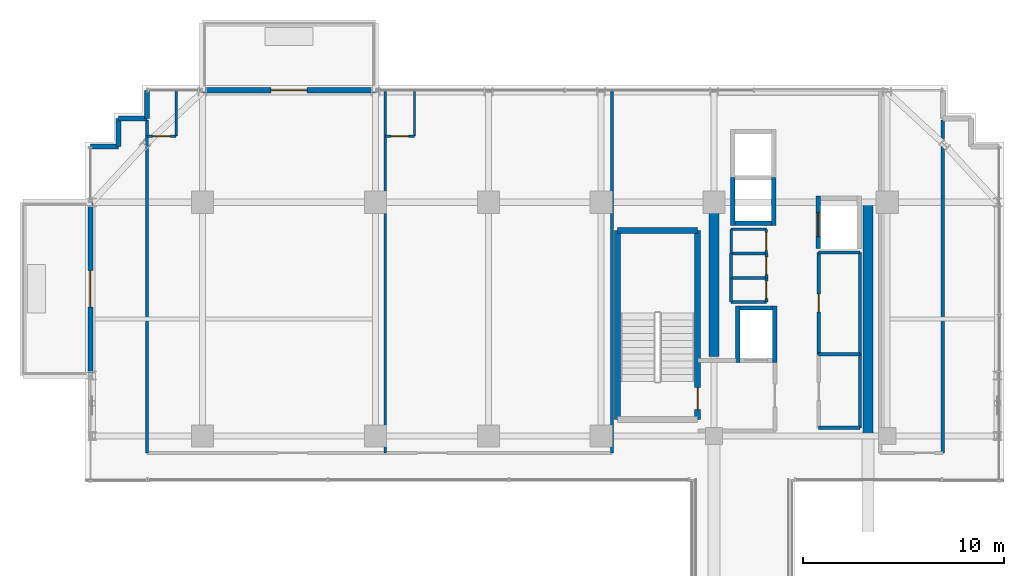
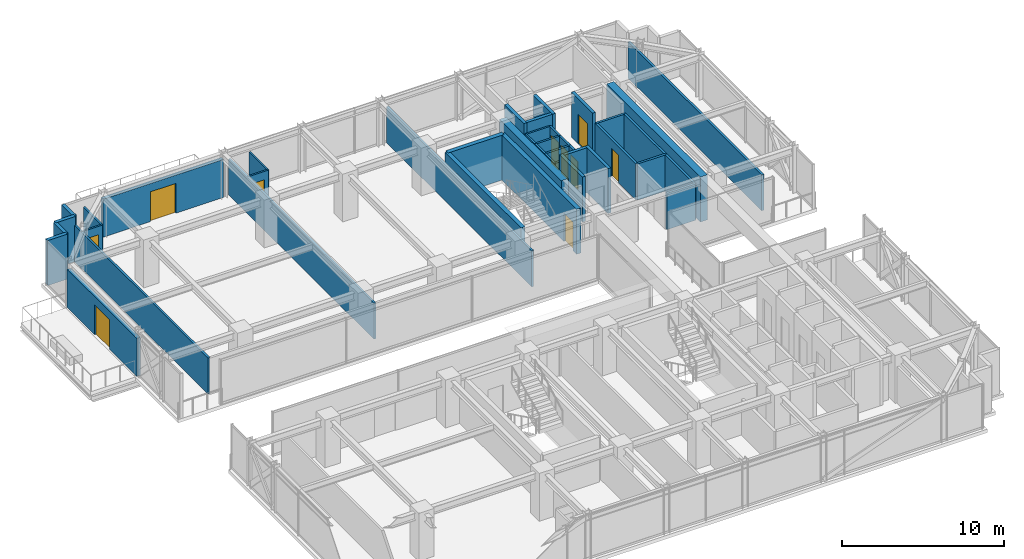
# One storey, part 32 of 37: 42 walls, 10 doors, 10 openings.
"""IFC4 building model written with IfcOpenShell, lengths in metres."""

from ifc_helpers import new_model, si_unit, direction, frame, frame_2d, origin, place, context, subcontext, project, spatial, rectangle, extrude, source, transform, mapped, material, layer, layer_set, type_object, element, fill, save


model = new_model("IFC4")

# Units and contexts
model_context = context("Model", 3, precision=1e-05, world=origin(), true_north=direction((0.0, 1.0)))
body_context = subcontext(model_context, "Body", "Model", "MODEL_VIEW")
ifc_project = project(units=[si_unit("LENGTHUNIT", "METRE"), si_unit("AREAUNIT", "SQUARE_METRE"), si_unit("VOLUMEUNIT", "CUBIC_METRE"), si_unit("PLANEANGLEUNIT", "RADIAN"), si_unit("MASSUNIT", "GRAM", prefix="KILO")], contexts=[model_context])

# Site, building, storey
site_placement = place(None, origin())
site = spatial("IfcSite", under=ifc_project, at=site_placement, CompositionType="ELEMENT")
building_placement = place(site_placement, origin())
building = spatial("IfcBuilding", under=site, at=building_placement, Name="Nahalor Promenade Grand Hotel", CompositionType="ELEMENT")
storey_placement = place(building_placement, frame((0.0, 0.0, 167.25)))
storey = spatial("IfcBuildingStorey", under=building, at=storey_placement, Name="L42", CompositionType="ELEMENT", Elevation=167.25)

# Walls
ifc_material_1 = material(Name="Concrete B-60 (C50/60)", Category="concrete")
ifc_layer_1 = layer(ifc_material_1, 0.5)
ifc_layer_set_1 = layer_set([ifc_layer_1], Name="Concrete B-60 (C50/60)")
wall_type_1 = type_object("IfcWallType", Name="Wall-CoreShear-500", PredefinedType="SHEAR", material=ifc_layer_set_1)
shared_shape_1 = source(origin(), body_context, "Body", "SweptSolid", [
    extrude(rectangle(XDim=7.64990234375, YDim=0.5, at=frame_2d((3.824951171875, 0.0))), origin(), (0.0, 0.0, 1.0), 3.389892578125),
])
wall_1_placement = place(storey_placement, frame((8.39990234375, 9.35009765625, 0.0), z_axis=(0.0, 0.0, 1.0), x_axis=(0.0, 1.0, 0.0)))
element("IfcWall", 1, at=wall_1_placement, inside=storey, type_object=wall_type_1, Name="CWALL-L42-NW", PredefinedType="SHEAR", context=body_context, shape_type="MappedRepresentation", body=[
    mapped(shared_shape_1, transform((0.0, 0.0, 0.0), scale=1.0)),
])
shared_shape_2 = source(origin(), body_context, "Body", "SweptSolid", [
    extrude(rectangle(XDim=11.60009765625, YDim=0.5, at=frame_2d((5.800048828125, 0.0))), origin(), (0.0, 0.0, 1.0), 3.389892578125),
])
wall_2_placement = place(storey_placement, frame((16.050048828125, 5.39990234375, 0.0), z_axis=(0.0, 0.0, 1.0), x_axis=(0.0, 1.0, 0.0)))
element("IfcWall", 2, at=wall_2_placement, inside=storey, type_object=wall_type_1, Name="CWALL-L42-NE", PredefinedType="SHEAR", context=body_context, shape_type="MappedRepresentation", body=[
    mapped(shared_shape_2, transform((0.0, 0.0, 0.0), scale=1.0)),
])
ifc_material_2 = material(Name="Concrete B-50 (C40/50)", Category="concrete")
ifc_layer_2 = layer(ifc_material_2, 0.300048828125)
ifc_layer_set_2 = layer_set([ifc_layer_2], Name="Concrete B-50 (C40/50)")
wall_type_2 = type_object("IfcWallType", Name="Wall-ShaftShear-300", PredefinedType="SHEAR", material=ifc_layer_set_2)
shared_shape_3 = source(origin(), body_context, "Body", "SweptSolid", [
    extrude(rectangle(XDim=3.97998046875, YDim=0.300048828125, at=frame_2d((1.989990234375, 0.0))), origin(), (0.0, 0.0, 1.0), 3.389892578125),
])
wall_3_placement = place(storey_placement, frame((3.610107421875, 15.590087890625, 0.0), z_axis=(0.0, 0.0, 1.0), x_axis=(1.0, 0.0, 0.0)))
element("IfcWall", 3, at=wall_3_placement, inside=storey, type_object=wall_type_2, Name="L42 Exit Stair ST1 Shaft Wall N", PredefinedType="SHEAR", context=body_context, shape_type="MappedRepresentation", body=[
    mapped(shared_shape_3, transform((0.0, 0.0, 0.0), scale=1.0)),
])
shared_shape_4 = source(origin(), body_context, "Body", "SweptSolid", [
    extrude(rectangle(XDim=9.380126953125, YDim=0.300048828125, at=frame_2d((4.68994140625, 0.0))), origin(), (0.0, 0.0, 1.0), 3.389892578125),
])
wall_4_placement = place(storey_placement, frame((3.610107421875, 6.2099609375, 0.0), z_axis=(0.0, 0.0, 1.0), x_axis=(0.0, 1.0, 0.0)))
element("IfcWall", 4, at=wall_4_placement, inside=storey, type_object=wall_type_2, Name="L42 Exit Stair ST1 Shaft Wall W", PredefinedType="SHEAR", context=body_context, shape_type="MappedRepresentation", body=[
    mapped(shared_shape_4, transform((0.0, 0.0, 0.0), scale=1.0)),
])

# Wall, opening, door
wall_5_placement = place(storey_placement, frame((7.590087890625, 6.2099609375, 0.0), z_axis=(0.0, 0.0, 1.0), x_axis=(0.0, 1.0, 0.0)))
wall_5 = element("IfcWall", 5, at=wall_5_placement, inside=storey, type_object=wall_type_2, Name="L42 Exit Stair ST1 Shaft Wall E", PredefinedType="SHEAR", context=body_context, shape_type="MappedRepresentation", body=[
    mapped(shared_shape_4, transform((0.0, 0.0, 0.0), scale=1.0)),
])
opening_1_placement = place(wall_5_placement, frame((0.489990234375, 0.0, 0.0)))
opening_1 = element("IfcOpeningElement", 6, at=opening_1_placement, cuts=wall_5, Name="Opening D-ST1", PredefinedType="OPENING", context=body_context, shape_type="SweptSolid", body=[
    extrude(rectangle(XDim=1.10009765625, YDim=2.14990234375, at=frame_2d((0.550048828125, 1.074951171875))), frame((0.0, 0.159912109375, 0.0), z_axis=(0.0, -1.0, 0.0), x_axis=(1.0, 0.0, 0.0)), (0.0, 0.0, 1.0), 0.320068359375),
])
ifc_material_3 = material(Name="Steel S355JR", Category="steel")
door_type_1 = type_object("IfcDoorType", Name="Door-StairFire-1100", OperationType="NOTDEFINED", PredefinedType="DOOR", material=ifc_material_3)
shared_shape_5 = source(origin(), body_context, "Body", "SweptSolid", [
    extrude(rectangle(XDim=1.10009765625, YDim=2.14990234375, at=frame_2d((0.550048828125, 1.074951171875))), frame((0.0, 0.02490234375, 0.0), z_axis=(0.0, -1.0, 0.0), x_axis=(1.0, 0.0, 0.0)), (0.0, 0.0, 1.0), 0.050048828125),
])
door_1_placement = place(opening_1_placement, origin())
door_1 = element("IfcDoor", 7, at=door_1_placement, inside=storey, type_object=door_type_1, Name="DR-STAIR-ST1-L42", OperationType="SINGLE_SWING_LEFT", OverallHeight=2.14990234375, OverallWidth=1.10009765625, PredefinedType="DOOR", context=body_context, shape_type="MappedRepresentation", body=[
    mapped(shared_shape_5, transform((0.0, 0.0, 0.0), scale=1.0)),
])
fill(opening_1, door_1)

# Walls
ifc_layer_3 = layer(ifc_material_2, 0.219970703125)
ifc_layer_set_3 = layer_set([ifc_layer_3], Name="Concrete B-50 (C40/50)")
wall_type_3 = type_object("IfcWallType", Name="Wall-LiftShaft-220", PredefinedType="SHEAR", material=ifc_layer_set_3)
shared_shape_6 = source(origin(), body_context, "Body", "SweptSolid", [
    extrude(rectangle(XDim=1.820068359375, YDim=0.219970703125, at=frame_2d((0.91015625, 0.0))), origin(), (0.0, 0.0, 1.0), 3.389892578125),
])
wall_6_placement = place(storey_placement, frame((9.43994140625, 15.949951171875, 0.0), z_axis=(0.0, 0.0, 1.0), x_axis=(1.0, 0.0, 0.0)))
element("IfcWall", 8, at=wall_6_placement, inside=storey, type_object=wall_type_3, Name="L42 Lift OB1 Hoistway Wall S", PredefinedType="SHEAR", context=body_context, shape_type="MappedRepresentation", body=[
    mapped(shared_shape_6, transform((0.0, 0.0, 0.0), scale=1.0)),
])
shared_shape_7 = source(origin(), body_context, "Body", "SweptSolid", [
    extrude(rectangle(XDim=2.385009765625, YDim=0.219970703125, at=frame_2d((1.1923828125, 0.0))), origin(), (0.0, 0.0, 1.0), 3.389892578125),
])
for number, where, z_axis, x_axis, name in (
    (9, (9.330078125, 15.840087890625, 0.0), (0.0, 0.0, 1.0), (0.0, 1.0, 0.0), "L42 Lift OB1 Hoistway Wall W"),
    (10, (11.3701171875, 15.840087890625, 0.0), (0.0, 0.0, 1.0), (0.0, 1.0, 0.0), "L42 Lift OB1 Hoistway Wall E"),
):
    element("IfcWall", number, at=place(storey_placement, frame(where, z_axis=z_axis, x_axis=x_axis)), inside=storey, type_object=wall_type_3, Name=name, PredefinedType="SHEAR", context=body_context, shape_type="MappedRepresentation", body=[
        mapped(shared_shape_7, transform((0.0, 0.0, 0.0), scale=1.0)),
    ])
shared_shape_8 = source(origin(), body_context, "Body", "SweptSolid", [
    extrude(rectangle(XDim=2.820068359375, YDim=0.219970703125, at=frame_2d((1.41015625, 0.0))), origin(), (0.0, 0.0, 1.0), 3.389892578125),
])
for number, where, z_axis, x_axis, name in (
    (11, (9.580078125, 9.0400390625, 0.0), (0.0, 0.0, 1.0), (0.0, 1.0, 0.0), "L42 Lift FL1 Hoistway Wall W"),
    (12, (11.419921875, 9.0400390625, 0.0), (0.0, 0.0, 1.0), (0.0, 1.0, 0.0), "L42 Lift FL1 Hoistway Wall E"),
):
    element("IfcWall", number, at=place(storey_placement, frame(where, z_axis=z_axis, x_axis=x_axis)), inside=storey, type_object=wall_type_3, Name=name, PredefinedType="SHEAR", context=body_context, shape_type="MappedRepresentation", body=[
        mapped(shared_shape_8, transform((0.0, 0.0, 0.0), scale=1.0)),
    ])
shared_shape_9 = source(origin(), body_context, "Body", "SweptSolid", [
    extrude(rectangle(XDim=1.6201171875, YDim=0.219970703125, at=frame_2d((0.81005859375, 0.0))), origin(), (0.0, 0.0, 1.0), 3.389892578125),
])
wall_7_placement = place(storey_placement, frame((9.68994140625, 11.75, 0.0), z_axis=(0.0, 0.0, 1.0), x_axis=(1.0, 0.0, 0.0)))
element("IfcWall", 13, at=wall_7_placement, inside=storey, type_object=wall_type_3, Name="L42 Lift FL1 Hoistway Wall N", PredefinedType="SHEAR", context=body_context, shape_type="MappedRepresentation", body=[
    mapped(shared_shape_9, transform((0.0, 0.0, 0.0), scale=1.0)),
])

# Wall, opening, door
shared_shape_10 = source(origin(), body_context, "Body", "SweptSolid", [
    extrude(rectangle(XDim=2.610107421875, YDim=0.219970703125, at=frame_2d((1.30517578125, 0.0))), origin(), (0.0, 0.0, 1.0), 3.389892578125),
])
wall_8_placement = place(storey_placement, frame((13.580078125, 14.699951171875, 0.0), z_axis=(0.0, 0.0, 1.0), x_axis=(0.0, 1.0, 0.0)))
wall_8 = element("IfcWall", 14, at=wall_8_placement, inside=storey, type_object=wall_type_3, Name="L42 Lift SV1 Hoistway Wall W", PredefinedType="SHEAR", context=body_context, shape_type="MappedRepresentation", body=[
    mapped(shared_shape_10, transform((0.0, 0.0, 0.0), scale=1.0)),
])
opening_2_placement = place(wall_8_placement, frame((0.60009765625, 0.0, 0.0)))
opening_2 = element("IfcOpeningElement", 15, at=opening_2_placement, cuts=wall_8, Name="Opening LD-03", PredefinedType="OPENING", context=body_context, shape_type="SweptSolid", body=[
    extrude(rectangle(XDim=1.199951171875, YDim=2.199951171875, at=frame_2d((0.60009765625, 1.10009765625))), frame((0.0, 0.119873046875, 0.0), z_axis=(0.0, -1.0, 0.0), x_axis=(1.0, 0.0, 0.0)), (0.0, 0.0, 1.0), 0.239990234375),
])
door_type_2 = type_object("IfcDoorType", Name="Door-LiftService-1200", OperationType="DOUBLE_DOOR_SLIDING", PredefinedType="DOOR", material=ifc_material_3)
shared_shape_11 = source(origin(), body_context, "Body", "SweptSolid", [
    extrude(rectangle(XDim=1.199951171875, YDim=2.199951171875, at=frame_2d((0.60009765625, 1.10009765625))), frame((0.0, 0.02490234375, 0.0), z_axis=(0.0, -1.0, 0.0), x_axis=(1.0, 0.0, 0.0)), (0.0, 0.0, 1.0), 0.050048828125),
])
door_2_placement = place(opening_2_placement, origin())
door_2 = element("IfcDoor", 16, at=door_2_placement, inside=storey, type_object=door_type_2, Name="DR-LIFT-SV1-L42", OperationType="DOUBLE_DOOR_SLIDING", OverallHeight=2.199951171875, OverallWidth=1.199951171875, PredefinedType="DOOR", context=body_context, shape_type="MappedRepresentation", body=[
    mapped(shared_shape_11, transform((0.0, 0.0, 0.0), scale=1.0)),
])
fill(opening_2, door_2)

# Walls
ifc_material_4 = material(Name="Concrete B-40 (C32/40)", Category="concrete")
ifc_layer_4 = layer(ifc_material_4, 0.25)
ifc_layer_set_4 = layer_set([ifc_layer_4], Name="Concrete B-40 (C32/40)")
wall_type_4 = type_object("IfcWallType", Name="Wall-BronzePier-250", PredefinedType="STANDARD", material=ifc_layer_set_4)
shared_shape_12 = source(origin(), body_context, "Body", "SweptSolid", [
    extrude(rectangle(XDim=1.400146484375, YDim=0.25, at=frame_2d((0.7001953125, 0.0))), origin(), (0.0, 0.0, 1.0), 3.389892578125),
])
for number, where, z_axis, x_axis, name in (
    (17, (-19.760009765625, 21.159912109375, 0.0), (0.0, 0.0, 1.0), (0.0, 1.0, 0.0), "W-L42-SR-09"),
    (18, (-22.56005859375, 19.760009765625, 0.0), (0.0, 0.0, 1.0), (1.0, 0.0, 0.0), "W-L42-SR-12"),
):
    element("IfcWall", number, at=place(storey_placement, frame(where, z_axis=z_axis, x_axis=x_axis)), inside=storey, type_object=wall_type_4, Name=name, PredefinedType="STANDARD", context=body_context, shape_type="MappedRepresentation", body=[
        mapped(shared_shape_12, transform((0.0, 0.0, 0.0), scale=1.0)),
    ])
shared_shape_13 = source(origin(), body_context, "Body", "SweptSolid", [
    extrude(rectangle(XDim=1.39990234375, YDim=0.25, at=frame_2d((0.699951171875, 0.0))), origin(), (0.0, 0.0, 1.0), 3.389892578125),
])
for number, where, z_axis, x_axis, name in (
    (19, (-21.159912109375, 21.159912109375, 0.0), (0.0, 0.0, 1.0), (1.0, 0.0, 0.0), "W-L42-SR-10"),
    (20, (-21.159912109375, 19.760009765625, 0.0), (0.0, 0.0, 1.0), (0.0, 1.0, 0.0), "W-L42-SR-11"),
):
    element("IfcWall", number, at=place(storey_placement, frame(where, z_axis=z_axis, x_axis=x_axis)), inside=storey, type_object=wall_type_4, Name=name, PredefinedType="STANDARD", context=body_context, shape_type="MappedRepresentation", body=[
        mapped(shared_shape_13, transform((0.0, 0.0, 0.0), scale=1.0)),
    ])

# Wall, opening, door
ifc_layer_5 = layer(ifc_material_4, 0.260009765625)
ifc_layer_set_5 = layer_set([ifc_layer_5], Name="Concrete B-40 (C32/40)")
wall_type_5 = type_object("IfcWallType", Name="Wall-BalconyWall-260", PredefinedType="STANDARD", material=ifc_layer_set_5)
shared_shape_14 = source(origin(), body_context, "Body", "SweptSolid", [
    extrude(rectangle(XDim=8.60009765625, YDim=0.260009765625, at=frame_2d((4.300048828125, 0.0))), origin(), (0.0, 0.0, 1.0), 2.8701171875),
])
wall_9_placement = place(storey_placement, frame((-17.0, 22.56005859375, 0.0), z_axis=(0.0, 0.0, 1.0), x_axis=(1.0, 0.0, 0.0)))
wall_9 = element("IfcWall", 21, at=wall_9_placement, inside=storey, type_object=wall_type_5, Name="W-L42-BALC-N-2", PredefinedType="STANDARD", context=body_context, shape_type="MappedRepresentation", body=[
    mapped(shared_shape_14, transform((0.0, 0.0, 0.0), scale=1.0)),
])
opening_3_placement = place(wall_9_placement, frame((3.39990234375, 0.0, 0.0)))
opening_3 = element("IfcOpeningElement", 22, at=opening_3_placement, cuts=wall_9, Name="Opening D-BC1", PredefinedType="OPENING", context=body_context, shape_type="SweptSolid", body=[
    extrude(rectangle(XDim=1.800048828125, YDim=2.25, at=frame_2d((0.89990234375, 1.125))), frame((0.0, 0.139892578125, 0.0), z_axis=(0.0, -1.0, 0.0), x_axis=(1.0, 0.0, 0.0)), (0.0, 0.0, 1.0), 0.280029296875),
])
ifc_material_5 = material(Name="Anodised Bronze Aluminium EN AW-6063 T6", Category="aluminium")
door_type_3 = type_object("IfcDoorType", Name="Door-BalconySlide-1800", OperationType="DOUBLE_DOOR_SLIDING", PredefinedType="DOOR", material=ifc_material_5)
shared_shape_15 = source(origin(), body_context, "Body", "SweptSolid", [
    extrude(rectangle(XDim=1.800048828125, YDim=2.25, at=frame_2d((0.89990234375, 1.125))), frame((0.0, 0.02490234375, 0.0), z_axis=(0.0, -1.0, 0.0), x_axis=(1.0, 0.0, 0.0)), (0.0, 0.0, 1.0), 0.050048828125),
])
door_3_placement = place(opening_3_placement, origin())
door_3 = element("IfcDoor", 23, at=door_3_placement, inside=storey, type_object=door_type_3, Name="DR-L42-BALC-N-2", OperationType="DOUBLE_DOOR_SLIDING", OverallHeight=2.25, OverallWidth=1.800048828125, PredefinedType="DOOR", context=body_context, shape_type="MappedRepresentation", body=[
    mapped(shared_shape_15, transform((0.0, 0.0, 0.0), scale=1.0)),
])
fill(opening_3, door_3)

wall_10_placement = place(storey_placement, frame((-22.56005859375, 8.39990234375, 0.0), z_axis=(0.0, 0.0, 1.0), x_axis=(0.0, 1.0, 0.0)))
wall_10 = element("IfcWall", 24, at=wall_10_placement, inside=storey, type_object=wall_type_5, Name="W-L42-BALC-W-3", PredefinedType="STANDARD", context=body_context, shape_type="MappedRepresentation", body=[
    mapped(shared_shape_14, transform((0.0, 0.0, 0.0), scale=1.0)),
])
opening_4_placement = place(wall_10_placement, frame((3.39990234375, 0.0, 0.0)))
opening_4 = element("IfcOpeningElement", 25, at=opening_4_placement, cuts=wall_10, Name="Opening D-BC1", PredefinedType="OPENING", context=body_context, shape_type="SweptSolid", body=[
    extrude(rectangle(XDim=1.800048828125, YDim=2.25, at=frame_2d((0.89990234375, 1.125))), frame((0.0, 0.139892578125, 0.0), z_axis=(0.0, -1.0, 0.0), x_axis=(1.0, 0.0, 0.0)), (0.0, 0.0, 1.0), 0.280029296875),
])
door_4_placement = place(opening_4_placement, origin())
door_4 = element("IfcDoor", 26, at=door_4_placement, inside=storey, type_object=door_type_3, Name="DR-L42-BALC-W-3", OperationType="DOUBLE_DOOR_SLIDING", OverallHeight=2.25, OverallWidth=1.800048828125, PredefinedType="DOOR", context=body_context, shape_type="MappedRepresentation", body=[
    mapped(shared_shape_15, transform((0.0, 0.0, 0.0), scale=1.0)),
])
fill(opening_4, door_4)

# Walls
ifc_material_6 = material(Name="Acoustic Mineral Gypsum", Category="gypsum")
ifc_layer_6 = layer(ifc_material_6, 0.14990234375)
ifc_layer_set_6 = layer_set([ifc_layer_6], Name="Acoustic Mineral Gypsum")
wall_type_6 = type_object("IfcWallType", Name="Wall-PartService-150", PredefinedType="PARTITIONING", material=ifc_layer_set_6)
shared_shape_16 = source(origin(), body_context, "Body", "SweptSolid", [
    extrude(rectangle(XDim=1.75, YDim=0.14990234375, at=frame_2d((0.875, 0.0))), origin(), (0.0, 0.0, 1.0), 2.72998046875),
])
for number, where, z_axis, x_axis, name in (
    (27, (9.25, 12.050048828125, 0.0), (0.0, 0.0, 1.0), (1.0, 0.0, 0.0), "W-L42-CK3A-S"),
    (28, (9.25, 13.25, 0.0), (0.0, 0.0, 1.0), (1.0, 0.0, 0.0), "W-L42-CK3A-N"),
    (29, (9.25, 14.449951171875, 0.0), (0.0, 0.0, 1.0), (1.0, 0.0, 0.0), "W-L42-CK3B-N"),
):
    element("IfcWall", number, at=place(storey_placement, frame(where, z_axis=z_axis, x_axis=x_axis)), inside=storey, type_object=wall_type_6, Name=name, PredefinedType="PARTITIONING", context=body_context, shape_type="MappedRepresentation", body=[
        mapped(shared_shape_16, transform((0.0, 0.0, 0.0), scale=1.0)),
    ])
ifc_layer_7 = layer(ifc_material_6, 0.159912109375)
ifc_layer_set_7 = layer_set([ifc_layer_7], Name="Acoustic Mineral Gypsum")
wall_type_7 = type_object("IfcWallType", Name="Wall-PartCorridor-160", PredefinedType="PARTITIONING", material=ifc_layer_set_7)
shared_shape_17 = source(origin(), body_context, "Body", "SweptSolid", [
    extrude(rectangle(XDim=2.0498046875, YDim=0.159912109375, at=frame_2d((1.02490234375, 0.0))), origin(), (0.0, 0.0, 1.0), 2.72998046875),
])
for number, where, z_axis, x_axis, name in (
    (30, (13.60009765625, 5.800048828125, 0.0), (0.0, 0.0, 1.0), (1.0, 0.0, 0.0), "W-L42-FRB1A-S"),
    (31, (13.60009765625, 9.449951171875, 0.0), (0.0, 0.0, 1.0), (1.0, 0.0, 0.0), "W-L42-FRB1A-N"),
    (32, (13.60009765625, 14.5, 0.0), (0.0, 0.0, 1.0), (1.0, 0.0, 0.0), "W-L42-FRB1B-N"),
):
    element("IfcWall", number, at=place(storey_placement, frame(where, z_axis=z_axis, x_axis=x_axis)), inside=storey, type_object=wall_type_7, Name=name, PredefinedType="PARTITIONING", context=body_context, shape_type="MappedRepresentation", body=[
        mapped(shared_shape_17, transform((0.0, 0.0, 0.0), scale=1.0)),
    ])
shared_shape_18 = source(origin(), body_context, "Body", "SweptSolid", [
    extrude(rectangle(XDim=16.530029296875, YDim=0.159912109375, at=frame_2d((8.26513671875, 0.0))), origin(), (0.0, 0.0, 1.0), 2.72998046875),
])
wall_11_placement = place(storey_placement, frame((19.760009765625, 4.550048828125, 0.0), z_axis=(0.0, 0.0, 1.0), x_axis=(0.0, 1.0, 0.0)))
element("IfcWall", 33, at=wall_11_placement, inside=storey, type_object=wall_type_7, Name="W-L42-ENE-E", PredefinedType="PARTITIONING", context=body_context, shape_type="MappedRepresentation", body=[
    mapped(shared_shape_18, transform((0.0, 0.0, 0.0), scale=1.0)),
])

# Wall, opening, door
ifc_layer_8 = layer(ifc_material_6, 0.1201171875)
ifc_layer_set_8 = layer_set([ifc_layer_8], Name="Acoustic Mineral Gypsum")
wall_type_8 = type_object("IfcWallType", Name="Wall-PartBath-120", PredefinedType="PARTITIONING", material=ifc_layer_set_8)
shared_shape_19 = source(origin(), body_context, "Body", "SweptSolid", [
    extrude(rectangle(XDim=1.449951171875, YDim=0.1201171875, at=frame_2d((0.72509765625, 0.0))), origin(), (0.0, 0.0, 1.0), 2.72998046875),
])
wall_12_placement = place(storey_placement, frame((-19.760009765625, 20.280029296875, 0.0), z_axis=(0.0, 0.0, 1.0), x_axis=(1.0, 0.0, 0.0)))
wall_12 = element("IfcWall", 34, at=wall_12_placement, inside=storey, type_object=wall_type_8, Name="W-L42-N1-BH", PredefinedType="PARTITIONING", context=body_context, shape_type="MappedRepresentation", body=[
    mapped(shared_shape_19, transform((0.0, 0.0, 0.0), scale=1.0)),
])
opening_5_placement = place(wall_12_placement, frame((0.284912109375, 0.0, 0.0)))
opening_5 = element("IfcOpeningElement", 35, at=opening_5_placement, cuts=wall_12, Name="Opening D-03", PredefinedType="OPENING", context=body_context, shape_type="SweptSolid", body=[
    extrude(rectangle(XDim=0.8798828125, YDim=2.10009765625, at=frame_2d((0.43994140625, 1.050048828125))), frame((0.0, 0.070068359375, 0.0), z_axis=(0.0, -1.0, 0.0), x_axis=(1.0, 0.0, 0.0)), (0.0, 0.0, 1.0), 0.14013671875),
])
ifc_material_7 = material(Name="Fire-Rated Timber Composite", Category="wood")
door_type_4 = type_object("IfcDoorType", Name="Door-BathSwing-880", OperationType="NOTDEFINED", PredefinedType="DOOR", material=ifc_material_7)
shared_shape_20 = source(origin(), body_context, "Body", "SweptSolid", [
    extrude(rectangle(XDim=0.8798828125, YDim=2.10009765625, at=frame_2d((0.43994140625, 1.050048828125))), frame((0.0, 0.02490234375, 0.0), z_axis=(0.0, -1.0, 0.0), x_axis=(1.0, 0.0, 0.0)), (0.0, 0.0, 1.0), 0.050048828125),
])
door_5_placement = place(opening_5_placement, origin())
door_5 = element("IfcDoor", 36, at=door_5_placement, inside=storey, type_object=door_type_4, Name="DR-L42-N1-BATH", OperationType="SINGLE_SWING_LEFT", OverallHeight=2.10009765625, OverallWidth=0.8798828125, PredefinedType="DOOR", context=body_context, shape_type="MappedRepresentation", body=[
    mapped(shared_shape_20, transform((0.0, 0.0, 0.0), scale=1.0)),
])
fill(opening_5, door_5)

# Walls
shared_shape_21 = source(origin(), body_context, "Body", "SweptSolid", [
    extrude(rectangle(XDim=2.219970703125, YDim=0.1201171875, at=frame_2d((1.10986328125, 0.0))), origin(), (0.0, 0.0, 1.0), 2.72998046875),
])
for number, where, z_axis, x_axis, name in (
    (37, (-18.31005859375, 20.280029296875, 0.0), (0.0, 0.0, 1.0), (0.0, 1.0, 0.0), "W-L42-N1-BV"),
    (38, (-6.471923828125, 20.280029296875, 0.0), (0.0, 0.0, 1.0), (0.0, 1.0, 0.0), "W-L42-N2-BV"),
):
    element("IfcWall", number, at=place(storey_placement, frame(where, z_axis=z_axis, x_axis=x_axis)), inside=storey, type_object=wall_type_8, Name=name, PredefinedType="PARTITIONING", context=body_context, shape_type="MappedRepresentation", body=[
        mapped(shared_shape_21, transform((0.0, 0.0, 0.0), scale=1.0)),
    ])
ifc_layer_9 = layer(ifc_material_6, 0.139892578125)
ifc_layer_set_9 = layer_set([ifc_layer_9], Name="Acoustic Mineral Gypsum")
wall_type_9 = type_object("IfcWallType", Name="Wall-PartSuite-140", PredefinedType="PARTITIONING", material=ifc_layer_set_9)
shared_shape_22 = source(origin(), body_context, "Body", "SweptSolid", [
    extrude(rectangle(XDim=17.949951171875, YDim=0.139892578125, at=frame_2d((8.97509765625, 0.0))), origin(), (0.0, 0.0, 1.0), 2.72998046875),
])
for number, where, z_axis, x_axis, name in (
    (39, (3.340087890625, 4.550048828125, 0.0), (0.0, 0.0, 1.0), (0.0, 1.0, 0.0), "W-L42-NW-ENDE"),
    (40, (-7.922119140625, 4.550048828125, 0.0), (0.0, 0.0, 1.0), (0.0, 1.0, 0.0), "W-L42-NP-1"),
):
    element("IfcWall", number, at=place(storey_placement, frame(where, z_axis=z_axis, x_axis=x_axis)), inside=storey, type_object=wall_type_9, Name=name, PredefinedType="PARTITIONING", context=body_context, shape_type="MappedRepresentation", body=[
        mapped(shared_shape_22, transform((0.0, 0.0, 0.0), scale=1.0)),
    ])

# Wall, opening, door
shared_shape_23 = source(origin(), body_context, "Body", "SweptSolid", [
    extrude(rectangle(XDim=1.4501953125, YDim=0.1201171875, at=frame_2d((0.72509765625, 0.0))), origin(), (0.0, 0.0, 1.0), 2.72998046875),
])
wall_13_placement = place(storey_placement, frame((-7.922119140625, 20.280029296875, 0.0), z_axis=(0.0, 0.0, 1.0), x_axis=(1.0, 0.0, 0.0)))
wall_13 = element("IfcWall", 41, at=wall_13_placement, inside=storey, type_object=wall_type_8, Name="W-L42-N2-BH", PredefinedType="PARTITIONING", context=body_context, shape_type="MappedRepresentation", body=[
    mapped(shared_shape_23, transform((0.0, 0.0, 0.0), scale=1.0)),
])
opening_6_placement = place(wall_13_placement, frame((0.284912109375, 0.0, 0.0)))
opening_6 = element("IfcOpeningElement", 42, at=opening_6_placement, cuts=wall_13, Name="Opening D-03", PredefinedType="OPENING", context=body_context, shape_type="SweptSolid", body=[
    extrude(rectangle(XDim=0.8798828125, YDim=2.10009765625, at=frame_2d((0.43994140625, 1.050048828125))), frame((0.0, 0.070068359375, 0.0), z_axis=(0.0, -1.0, 0.0), x_axis=(1.0, 0.0, 0.0)), (0.0, 0.0, 1.0), 0.14013671875),
])
door_6_placement = place(opening_6_placement, origin())
door_6 = element("IfcDoor", 43, at=door_6_placement, inside=storey, type_object=door_type_4, Name="DR-L42-N2-BATH", OperationType="SINGLE_SWING_RIGHT", OverallHeight=2.10009765625, OverallWidth=0.8798828125, PredefinedType="DOOR", context=body_context, shape_type="MappedRepresentation", body=[
    mapped(shared_shape_20, transform((0.0, 0.0, 0.0), scale=1.0)),
])
fill(opening_6, door_6)

# Walls
shared_shape_24 = source(origin(), body_context, "Body", "SweptSolid", [
    extrude(rectangle(XDim=1.75, YDim=0.1201171875, at=frame_2d((0.875, 0.0))), origin(), (0.0, 0.0, 1.0), 2.72998046875),
])
wall_14_placement = place(storey_placement, frame((9.25, 15.64990234375, 0.0), z_axis=(0.0, 0.0, 1.0), x_axis=(1.0, 0.0, 0.0)))
element("IfcWall", 44, at=wall_14_placement, inside=storey, type_object=wall_type_8, Name="W-L42-CK3C-N", PredefinedType="PARTITIONING", context=body_context, shape_type="MappedRepresentation", body=[
    mapped(shared_shape_24, transform((0.0, 0.0, 0.0), scale=1.0)),
])
shared_shape_25 = source(origin(), body_context, "Body", "SweptSolid", [
    extrude(rectangle(XDim=1.199951171875, YDim=0.14990234375, at=frame_2d((0.60009765625, 0.0))), origin(), (0.0, 0.0, 1.0), 2.72998046875),
])
wall_15_placement = place(storey_placement, frame((9.25, 12.050048828125, 0.0), z_axis=(0.0, 0.0, 1.0), x_axis=(0.0, 1.0, 0.0)))
element("IfcWall", 45, at=wall_15_placement, inside=storey, type_object=wall_type_6, Name="W-L42-CK3A-W", PredefinedType="PARTITIONING", context=body_context, shape_type="MappedRepresentation", body=[
    mapped(shared_shape_25, transform((0.0, 0.0, 0.0), scale=1.0)),
])

# Wall, opening, door
wall_16_placement = place(storey_placement, frame((11.0, 12.050048828125, 0.0), z_axis=(0.0, 0.0, 1.0), x_axis=(0.0, 1.0, 0.0)))
wall_16 = element("IfcWall", 46, at=wall_16_placement, inside=storey, type_object=wall_type_6, Name="W-L42-CK3A-E", PredefinedType="PARTITIONING", context=body_context, shape_type="MappedRepresentation", body=[
    mapped(shared_shape_25, transform((0.0, 0.0, 0.0), scale=1.0)),
])
opening_7_placement = place(wall_16_placement, frame((0.159912109375, 0.0, 0.0)))
opening_7 = element("IfcOpeningElement", 47, at=opening_7_placement, cuts=wall_16, Name="Opening D-03", PredefinedType="OPENING", context=body_context, shape_type="SweptSolid", body=[
    extrude(rectangle(XDim=0.8798828125, YDim=2.10009765625, at=frame_2d((0.43994140625, 1.050048828125))), frame((0.0, 0.0849609375, 0.0), z_axis=(0.0, -1.0, 0.0), x_axis=(1.0, 0.0, 0.0)), (0.0, 0.0, 1.0), 0.169921875),
])
door_7_placement = place(opening_7_placement, origin())
door_7 = element("IfcDoor", 48, at=door_7_placement, inside=storey, type_object=door_type_4, Name="DR-L42-CK3A", OperationType="SINGLE_SWING_RIGHT", OverallHeight=2.10009765625, OverallWidth=0.8798828125, PredefinedType="DOOR", context=body_context, shape_type="MappedRepresentation", body=[
    mapped(shared_shape_20, transform((0.0, 0.0, 0.0), scale=1.0)),
])
fill(opening_7, door_7)

# Wall
wall_17_placement = place(storey_placement, frame((9.25, 13.25, 0.0), z_axis=(0.0, 0.0, 1.0), x_axis=(0.0, 1.0, 0.0)))
element("IfcWall", 49, at=wall_17_placement, inside=storey, type_object=wall_type_6, Name="W-L42-CK3B-W", PredefinedType="PARTITIONING", context=body_context, shape_type="MappedRepresentation", body=[
    mapped(shared_shape_25, transform((0.0, 0.0, 0.0), scale=1.0)),
])

# Wall, opening, door
wall_18_placement = place(storey_placement, frame((11.0, 13.25, 0.0), z_axis=(0.0, 0.0, 1.0), x_axis=(0.0, 1.0, 0.0)))
wall_18 = element("IfcWall", 50, at=wall_18_placement, inside=storey, type_object=wall_type_6, Name="W-L42-CK3B-E", PredefinedType="PARTITIONING", context=body_context, shape_type="MappedRepresentation", body=[
    mapped(shared_shape_25, transform((0.0, 0.0, 0.0), scale=1.0)),
])
opening_8_placement = place(wall_18_placement, frame((0.159912109375, 0.0, 0.0)))
opening_8 = element("IfcOpeningElement", 51, at=opening_8_placement, cuts=wall_18, Name="Opening D-03", PredefinedType="OPENING", context=body_context, shape_type="SweptSolid", body=[
    extrude(rectangle(XDim=0.8798828125, YDim=2.10009765625, at=frame_2d((0.43994140625, 1.050048828125))), frame((0.0, 0.0849609375, 0.0), z_axis=(0.0, -1.0, 0.0), x_axis=(1.0, 0.0, 0.0)), (0.0, 0.0, 1.0), 0.169921875),
])
door_8_placement = place(opening_8_placement, origin())
door_8 = element("IfcDoor", 52, at=door_8_placement, inside=storey, type_object=door_type_4, Name="DR-L42-CK3B", OperationType="SINGLE_SWING_LEFT", OverallHeight=2.10009765625, OverallWidth=0.8798828125, PredefinedType="DOOR", context=body_context, shape_type="MappedRepresentation", body=[
    mapped(shared_shape_20, transform((0.0, 0.0, 0.0), scale=1.0)),
])
fill(opening_8, door_8)

# Wall
shared_shape_26 = source(origin(), body_context, "Body", "SweptSolid", [
    extrude(rectangle(XDim=1.199951171875, YDim=0.1201171875, at=frame_2d((0.60009765625, 0.0))), origin(), (0.0, 0.0, 1.0), 2.72998046875),
])
wall_19_placement = place(storey_placement, frame((9.25, 14.449951171875, 0.0), z_axis=(0.0, 0.0, 1.0), x_axis=(0.0, 1.0, 0.0)))
element("IfcWall", 53, at=wall_19_placement, inside=storey, type_object=wall_type_8, Name="W-L42-CK3C-W", PredefinedType="PARTITIONING", context=body_context, shape_type="MappedRepresentation", body=[
    mapped(shared_shape_26, transform((0.0, 0.0, 0.0), scale=1.0)),
])

# Wall, opening, door
wall_20_placement = place(storey_placement, frame((11.0, 14.449951171875, 0.0), z_axis=(0.0, 0.0, 1.0), x_axis=(0.0, 1.0, 0.0)))
wall_20 = element("IfcWall", 54, at=wall_20_placement, inside=storey, type_object=wall_type_8, Name="W-L42-CK3C-E", PredefinedType="PARTITIONING", context=body_context, shape_type="MappedRepresentation", body=[
    mapped(shared_shape_26, transform((0.0, 0.0, 0.0), scale=1.0)),
])
opening_9_placement = place(wall_20_placement, frame((0.159912109375, 0.0, 0.0)))
opening_9 = element("IfcOpeningElement", 55, at=opening_9_placement, cuts=wall_20, Name="Opening D-03", PredefinedType="OPENING", context=body_context, shape_type="SweptSolid", body=[
    extrude(rectangle(XDim=0.8798828125, YDim=2.10009765625, at=frame_2d((0.43994140625, 1.050048828125))), frame((0.0, 0.070068359375, 0.0), z_axis=(0.0, -1.0, 0.0), x_axis=(1.0, 0.0, 0.0)), (0.0, 0.0, 1.0), 0.14013671875),
])
door_9_placement = place(opening_9_placement, origin())
door_9 = element("IfcDoor", 56, at=door_9_placement, inside=storey, type_object=door_type_4, Name="DR-L42-CK3C", OperationType="SINGLE_SWING_RIGHT", OverallHeight=2.10009765625, OverallWidth=0.8798828125, PredefinedType="DOOR", context=body_context, shape_type="MappedRepresentation", body=[
    mapped(shared_shape_20, transform((0.0, 0.0, 0.0), scale=1.0)),
])
fill(opening_9, door_9)

# Wall
shared_shape_27 = source(origin(), body_context, "Body", "SweptSolid", [
    extrude(rectangle(XDim=3.64990234375, YDim=0.159912109375, at=frame_2d((1.824951171875, 0.0))), origin(), (0.0, 0.0, 1.0), 2.72998046875),
])
wall_21_placement = place(storey_placement, frame((15.64990234375, 5.800048828125, 0.0), z_axis=(0.0, 0.0, 1.0), x_axis=(0.0, 1.0, 0.0)))
element("IfcWall", 57, at=wall_21_placement, inside=storey, type_object=wall_type_7, Name="W-L42-FRB1A-E", PredefinedType="PARTITIONING", context=body_context, shape_type="MappedRepresentation", body=[
    mapped(shared_shape_27, transform((0.0, 0.0, 0.0), scale=1.0)),
])

# Wall, opening, door
shared_shape_28 = source(origin(), body_context, "Body", "SweptSolid", [
    extrude(rectangle(XDim=5.050048828125, YDim=0.159912109375, at=frame_2d((2.52490234375, 0.0))), origin(), (0.0, 0.0, 1.0), 2.72998046875),
])
wall_22_placement = place(storey_placement, frame((13.60009765625, 9.449951171875, 0.0), z_axis=(0.0, 0.0, 1.0), x_axis=(0.0, 1.0, 0.0)))
wall_22 = element("IfcWall", 58, at=wall_22_placement, inside=storey, type_object=wall_type_7, Name="W-L42-FRB1B-W", PredefinedType="PARTITIONING", context=body_context, shape_type="MappedRepresentation", body=[
    mapped(shared_shape_28, transform((0.0, 0.0, 0.0), scale=1.0)),
])
opening_10_placement = place(wall_22_placement, frame((2.110107421875, 0.0, 0.0)))
opening_10 = element("IfcOpeningElement", 59, at=opening_10_placement, cuts=wall_22, Name="Opening D-03", PredefinedType="OPENING", context=body_context, shape_type="SweptSolid", body=[
    extrude(rectangle(XDim=0.8798828125, YDim=2.10009765625, at=frame_2d((0.43994140625, 1.050048828125))), frame((0.0, 0.08984375, 0.0), z_axis=(0.0, -1.0, 0.0), x_axis=(1.0, 0.0, 0.0)), (0.0, 0.0, 1.0), 0.179931640625),
])
door_10_placement = place(opening_10_placement, frame((0.8798828125, 0.0, 0.0), z_axis=(0.0, 0.0, 1.0), x_axis=(-1.0, 0.0, 0.0)))
door_10 = element("IfcDoor", 60, at=door_10_placement, inside=storey, type_object=door_type_4, Name="DR-L42-FRB1B", OperationType="SINGLE_SWING_RIGHT", OverallHeight=2.10009765625, OverallWidth=0.8798828125, PredefinedType="DOOR", context=body_context, shape_type="MappedRepresentation", body=[
    mapped(shared_shape_20, transform((0.0, 0.0, 0.0), scale=1.0)),
])
fill(opening_10, door_10)

# Walls
wall_23_placement = place(storey_placement, frame((15.64990234375, 9.449951171875, 0.0), z_axis=(0.0, 0.0, 1.0), x_axis=(0.0, 1.0, 0.0)))
element("IfcWall", 61, at=wall_23_placement, inside=storey, type_object=wall_type_7, Name="W-L42-FRB1B-E", PredefinedType="PARTITIONING", context=body_context, shape_type="MappedRepresentation", body=[
    mapped(shared_shape_28, transform((0.0, 0.0, 0.0), scale=1.0)),
])
shared_shape_29 = source(origin(), body_context, "Body", "SweptSolid", [
    extrude(rectangle(XDim=16.530029296875, YDim=0.139892578125, at=frame_2d((8.26513671875, 0.0))), origin(), (0.0, 0.0, 1.0), 2.72998046875),
])
wall_24_placement = place(storey_placement, frame((-19.760009765625, 4.550048828125, 0.0), z_axis=(0.0, 0.0, 1.0), x_axis=(0.0, 1.0, 0.0)))
element("IfcWall", 62, at=wall_24_placement, inside=storey, type_object=wall_type_9, Name="W-L42-NW-ENDW", PredefinedType="PARTITIONING", context=body_context, shape_type="MappedRepresentation", body=[
    mapped(shared_shape_29, transform((0.0, 0.0, 0.0), scale=1.0)),
])

save(model, "model.ifc")
